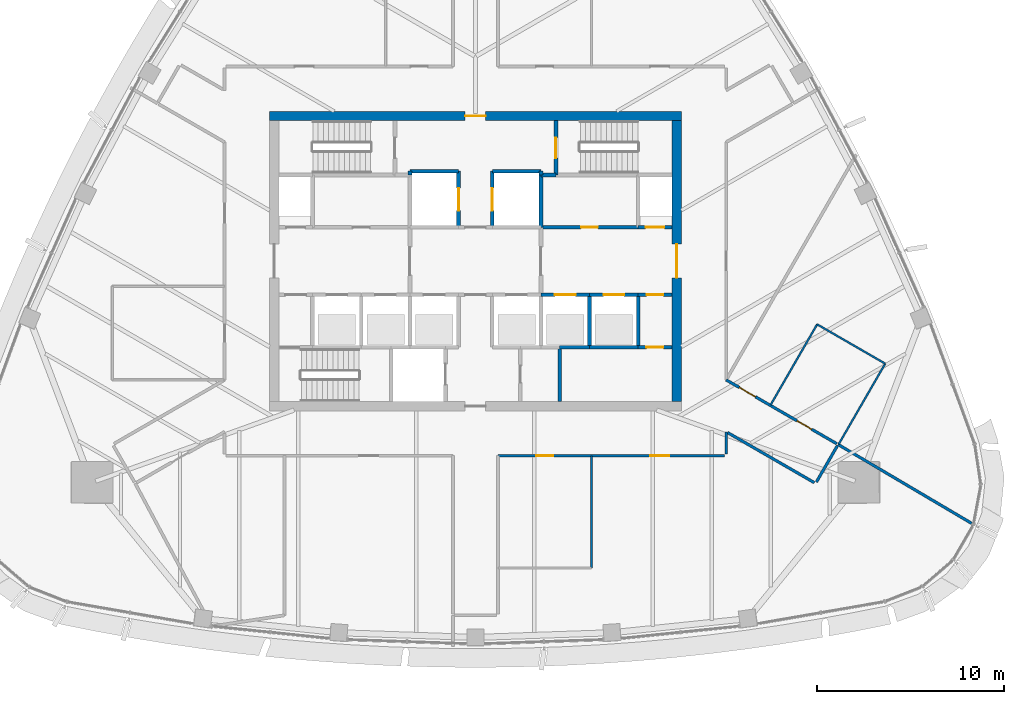
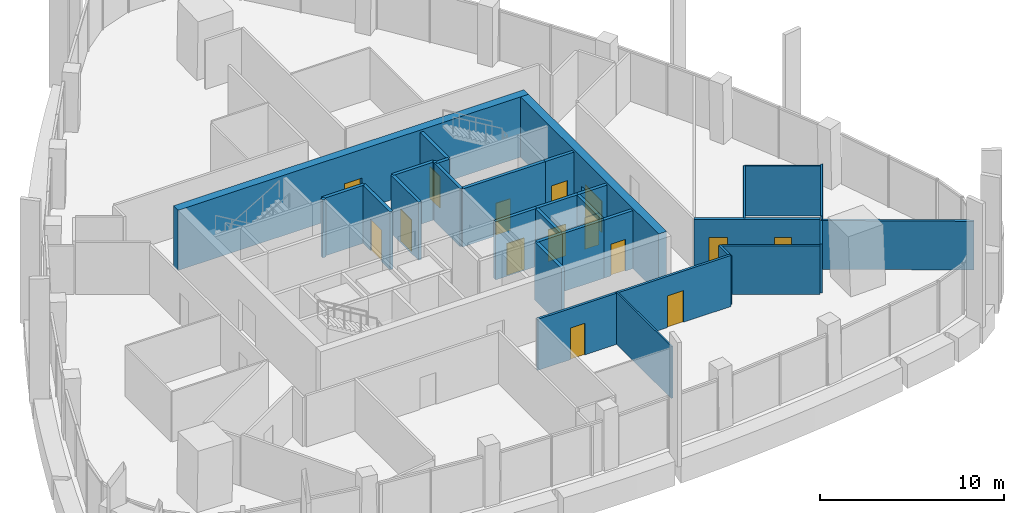
# One storey, part 10 of 19: 32 walls, 15 doors, 15 openings.
"""IFC4 building model written with IfcOpenShell, lengths in metres."""

from ifc_helpers import new_model, si_unit, direction, frame, frame_2d, origin, place, context, subcontext, project, spatial, rectangle, extrude, material, layer, layer_set, type_object, element, fill, save


model = new_model("IFC4")

# Units and contexts
model_context = context("Model", 3, precision=1e-05, world=origin(), true_north=direction((0.0, 1.0)))
body_context = subcontext(model_context, "Body", "Model", "MODEL_VIEW")
ifc_project = project(units=[si_unit("LENGTHUNIT", "METRE"), si_unit("AREAUNIT", "SQUARE_METRE"), si_unit("VOLUMEUNIT", "CUBIC_METRE"), si_unit("PLANEANGLEUNIT", "RADIAN"), si_unit("MASSUNIT", "GRAM", prefix="KILO")], contexts=[model_context])

# Site, building, storey
site_placement = place(None, origin())
site = spatial("IfcSite", under=ifc_project, at=site_placement, CompositionType="ELEMENT")
building_placement = place(site_placement, origin())
building = spatial("IfcBuilding", under=site, at=building_placement, Name="Sierra Prisma Convention Tower", CompositionType="ELEMENT")
storey_placement = place(building_placement, frame((0.0, 0.0, 295.0)))
storey = spatial("IfcBuildingStorey", under=building, at=storey_placement, Name="L67", CompositionType="ELEMENT", Elevation=295.0)

# Walls
ifc_material_1 = material(Name="Gypsum board partition", Category="gypsum")
ifc_layer_1 = layer(ifc_material_1, 0.10009765625)
ifc_layer_set_1 = layer_set([ifc_layer_1], Name="Bathroom partition 100")
wall_type_1 = type_object("IfcWallType", Name="Bathroom partition 100", PredefinedType="PARTITIONING", material=ifc_layer_set_1)
wall_1_placement = place(storey_placement, frame((6.199951171875, -10.429931640625, 0.0), z_axis=(0.0, 0.0, 1.0), x_axis=(0.0, -1.0, 0.0)))
element("IfcWall", 1, at=wall_1_placement, inside=storey, type_object=wall_type_1, Name="Partition L67 bath 6", PredefinedType="PARTITIONING", context=body_context, shape_type="SweptSolid", body=[
    extrude(rectangle(XDim=5.969970703125, YDim=0.10009765625, at=frame_2d((2.98486328125, 0.0))), origin(), (0.0, 0.0, 1.0), 3.449951171875),
])
wall_2_placement = place(storey_placement, frame((15.774169921875, -7.68701171875, 0.0), z_axis=(0.0, 0.0, 1.0), x_axis=(0.499974753747, 0.866039979225, 0.0)))
element("IfcWall", 2, at=wall_2_placement, inside=storey, type_object=wall_type_1, Name="Partition L67 bath 10", PredefinedType="PARTITIONING", context=body_context, shape_type="SweptSolid", body=[
    extrude(rectangle(XDim=4.969970703125, YDim=0.10009765625, at=frame_2d((2.48486328125, 0.0))), origin(), (0.0, 0.0, 1.0), 3.31689453125),
])
wall_3_placement = place(storey_placement, frame((18.259033203125, -3.3828125, 0.0), z_axis=(0.0, 0.0, 1.0), x_axis=(0.866049104564, -0.499958946799, 0.0)))
element("IfcWall", 3, at=wall_3_placement, inside=storey, type_object=wall_type_1, Name="Partition L67 bath 11", PredefinedType="PARTITIONING", context=body_context, shape_type="SweptSolid", body=[
    extrude(rectangle(XDim=4.199951171875, YDim=0.10009765625, at=frame_2d((2.10009765625, 0.0))), origin(), (0.0, 0.0, 1.0), 3.31689453125),
])
wall_4_placement = place(storey_placement, frame((21.896484375, -5.482666015625, 0.0), z_axis=(0.0, 0.0, 1.0), x_axis=(-0.500011595943, -0.86601870876, 0.0)))
element("IfcWall", 4, at=wall_4_placement, inside=storey, type_object=wall_type_1, Name="Partition L67 bath 12", PredefinedType="PARTITIONING", context=body_context, shape_type="SweptSolid", body=[
    extrude(rectangle(XDim=4.97021484375, YDim=0.10009765625, at=frame_2d((2.485107421875, 0.0))), origin(), (0.0, 0.0, 1.0), 3.443115234375),
])

# Wall, opening, door
ifc_material_2 = material(Name="Concrete C30/37", Category="concrete")
ifc_layer_2 = layer(ifc_material_2, 0.199951171875)
ifc_layer_set_2 = layer_set([ifc_layer_2], Name="Core wall RC 200 C30/37")
wall_type_2 = type_object("IfcWallType", Name="Core wall RC 200 C30/37", PredefinedType="SOLIDWALL", material=ifc_layer_set_2)
wall_5_placement = place(storey_placement, frame((-0.89990234375, 1.800048828125, 0.0), z_axis=(0.0, 0.0, 1.0), x_axis=(0.0, 1.0, 0.0)))
wall_5 = element("IfcWall", 5, at=wall_5_placement, inside=storey, type_object=wall_type_2, Name="Core wall L67 24", PredefinedType="SOLIDWALL", context=body_context, shape_type="SweptSolid", body=[
    extrude(rectangle(XDim=3.0, YDim=0.199951171875, at=frame_2d((1.5, 0.0))), origin(), (0.0, 0.0, 1.0), 3.85009765625),
])
opening_1_placement = place(wall_5_placement, frame((0.89990234375, 0.0, 0.0)))
opening_1 = element("IfcOpeningElement", 6, at=opening_1_placement, cuts=wall_5, Name="Opening L67-D007", PredefinedType="OPENING", context=body_context, shape_type="SweptSolid", body=[
    extrude(rectangle(XDim=1.199951171875, YDim=2.10009765625, at=frame_2d((0.60009765625, 1.050048828125))), frame((0.0, 0.10009765625, 0.0), z_axis=(0.0, -1.0, 0.0), x_axis=(1.0, 0.0, 0.0)), (0.0, 0.0, 1.0), 0.199951171875),
])
ifc_material_3 = material(Name="Steel fire door leaf", Category="steel")
door_type_1 = type_object("IfcDoorType", Name="Door 1200x2100 EI 90 sliding lift landing", OperationType="SLIDING_TO_LEFT", PredefinedType="DOOR", material=ifc_material_3)
door_1_placement = place(opening_1_placement, origin())
door_1 = element("IfcDoor", 7, at=door_1_placement, inside=storey, type_object=door_type_1, Name="Door L67 20", OperationType="SLIDING_TO_RIGHT", OverallHeight=2.10009765625, OverallWidth=1.199951171875, PredefinedType="DOOR", context=body_context, shape_type="SweptSolid", body=[
    extrude(rectangle(XDim=1.199951171875, YDim=2.10009765625, at=frame_2d((0.60009765625, 1.050048828125))), frame((0.0, 0.02490234375, 0.0), z_axis=(0.0, -1.0, 0.0), x_axis=(1.0, 0.0, 0.0)), (0.0, 0.0, 1.0), 0.050048828125),
])
fill(opening_1, door_1)

# Walls
wall_6_placement = place(storey_placement, frame((-0.89990234375, 4.800048828125, 0.0), z_axis=(0.0, 0.0, 1.0), x_axis=(-1.0, 0.0, 0.0)))
element("IfcWall", 8, at=wall_6_placement, inside=storey, type_object=wall_type_2, Name="Core wall L67 25", PredefinedType="SOLIDWALL", context=body_context, shape_type="SweptSolid", body=[
    extrude(rectangle(XDim=2.60009765625, YDim=0.199951171875, at=frame_2d((1.300048828125, 0.0))), origin(), (0.0, 0.0, 1.0), 3.85009765625),
])
for number, where, z_axis, x_axis, name in (
    (9, (-3.5, 4.800048828125, 0.0), (0.0, 0.0, 1.0), (0.0, -1.0, 0.0), "Core wall L67 26"),
    (10, (3.5, 4.60009765625, 0.0), (0.0, 0.0, 1.0), (0.0, 1.0, 0.0), "Core wall L67 36"),
):
    element("IfcWall", number, at=place(storey_placement, frame(where, z_axis=z_axis, x_axis=x_axis)), inside=storey, type_object=wall_type_2, Name=name, PredefinedType="SOLIDWALL", context=body_context, shape_type="SweptSolid", body=[
        extrude(rectangle(XDim=0.199951171875, YDim=0.199951171875, at=frame_2d((0.10009765625, 0.0))), origin(), (0.0, 0.0, 1.0), 3.85009765625),
    ])
wall_7_placement = place(storey_placement, frame((3.5, 4.800048828125, 0.0), z_axis=(0.0, 0.0, 1.0), x_axis=(-1.0, 0.0, 0.0)))
element("IfcWall", 11, at=wall_7_placement, inside=storey, type_object=wall_type_2, Name="Core wall L67 37", PredefinedType="SOLIDWALL", context=body_context, shape_type="SweptSolid", body=[
    extrude(rectangle(XDim=2.60009765625, YDim=0.199951171875, at=frame_2d((1.300048828125, 0.0))), origin(), (0.0, 0.0, 1.0), 3.85009765625),
])

# Wall, opening, door
wall_8_placement = place(storey_placement, frame((0.89990234375, 4.800048828125, 0.0), z_axis=(0.0, 0.0, 1.0), x_axis=(0.0, -1.0, 0.0)))
wall_8 = element("IfcWall", 12, at=wall_8_placement, inside=storey, type_object=wall_type_2, Name="Core wall L67 38", PredefinedType="SOLIDWALL", context=body_context, shape_type="SweptSolid", body=[
    extrude(rectangle(XDim=3.0, YDim=0.199951171875, at=frame_2d((1.5, 0.0))), origin(), (0.0, 0.0, 1.0), 3.85009765625),
])
opening_2_placement = place(wall_8_placement, frame((0.89990234375, 0.0, 0.0)))
opening_2 = element("IfcOpeningElement", 13, at=opening_2_placement, cuts=wall_8, Name="Opening L67-D008", PredefinedType="OPENING", context=body_context, shape_type="SweptSolid", body=[
    extrude(rectangle(XDim=1.199951171875, YDim=2.10009765625, at=frame_2d((0.60009765625, 1.050048828125))), frame((0.0, 0.10009765625, 0.0), z_axis=(0.0, -1.0, 0.0), x_axis=(1.0, 0.0, 0.0)), (0.0, 0.0, 1.0), 0.199951171875),
])
door_2_placement = place(opening_2_placement, origin())
door_2 = element("IfcDoor", 14, at=door_2_placement, inside=storey, type_object=door_type_1, Name="Door L67 21", OperationType="SLIDING_TO_RIGHT", OverallHeight=2.10009765625, OverallWidth=1.199951171875, PredefinedType="DOOR", context=body_context, shape_type="SweptSolid", body=[
    extrude(rectangle(XDim=1.199951171875, YDim=2.10009765625, at=frame_2d((0.60009765625, 1.050048828125))), frame((0.0, 0.02490234375, 0.0), z_axis=(0.0, -1.0, 0.0), x_axis=(1.0, 0.0, 0.0)), (0.0, 0.0, 1.0), 0.050048828125),
])
fill(opening_2, door_2)

wall_9_placement = place(storey_placement, frame((3.5, -1.800048828125, 0.0), z_axis=(0.0, 0.0, 1.0), x_axis=(1.0, 0.0, 0.0)))
wall_9 = element("IfcWall", 15, at=wall_9_placement, inside=storey, type_object=wall_type_2, Name="Core wall L67 43", PredefinedType="SOLIDWALL", context=body_context, shape_type="SweptSolid", body=[
    extrude(rectangle(XDim=2.60009765625, YDim=0.199951171875, at=frame_2d((1.300048828125, 0.0))), origin(), (0.0, 0.0, 1.0), 3.85009765625),
])
opening_3_placement = place(wall_9_placement, frame((0.75, 0.0, 0.0)))
opening_3 = element("IfcOpeningElement", 16, at=opening_3_placement, cuts=wall_9, Name="Opening L67-D005", PredefinedType="OPENING", context=body_context, shape_type="SweptSolid", body=[
    extrude(rectangle(XDim=1.10009765625, YDim=2.10009765625, at=frame_2d((0.550048828125, 1.050048828125))), frame((0.0, 0.10009765625, 0.0), z_axis=(0.0, -1.0, 0.0), x_axis=(1.0, 0.0, 0.0)), (0.0, 0.0, 1.0), 0.199951171875),
])
ifc_material_4 = material(Name="Steel fire door leaf", Category="steel")
door_type_2 = type_object("IfcDoorType", Name="Door 1100x2100 EI 90 sliding lift landing", OperationType="SLIDING_TO_LEFT", PredefinedType="DOOR", material=ifc_material_4)
door_3_placement = place(opening_3_placement, origin())
door_3 = element("IfcDoor", 17, at=door_3_placement, inside=storey, type_object=door_type_2, Name="Door L67 18", OperationType="SLIDING_TO_LEFT", OverallHeight=2.10009765625, OverallWidth=1.10009765625, PredefinedType="DOOR", context=body_context, shape_type="SweptSolid", body=[
    extrude(rectangle(XDim=1.10009765625, YDim=2.10009765625, at=frame_2d((0.550048828125, 1.050048828125))), frame((0.0, 0.02490234375, 0.0), z_axis=(0.0, -1.0, 0.0), x_axis=(1.0, 0.0, 0.0)), (0.0, 0.0, 1.0), 0.050048828125),
])
fill(opening_3, door_3)

wall_10_placement = place(storey_placement, frame((3.5, 1.800048828125, 0.0), z_axis=(0.0, 0.0, 1.0), x_axis=(1.0, 0.0, 0.0)))
wall_10 = element("IfcWall", 18, at=wall_10_placement, inside=storey, type_object=wall_type_2, Name="Core wall L67 45", PredefinedType="SOLIDWALL", context=body_context, shape_type="SweptSolid", body=[
    extrude(rectangle(XDim=5.199951171875, YDim=0.199951171875, at=frame_2d((2.60009765625, 0.0))), origin(), (0.0, 0.0, 1.0), 3.85009765625),
])
opening_4_placement = place(wall_10_placement, frame((2.14990234375, 0.0, 0.0)))
opening_4 = element("IfcOpeningElement", 19, at=opening_4_placement, cuts=wall_10, Name="Opening L67-D020", PredefinedType="OPENING", context=body_context, shape_type="SweptSolid", body=[
    extrude(rectangle(XDim=0.89990234375, YDim=2.10009765625, at=frame_2d((0.449951171875, 1.050048828125))), frame((0.0, 0.10009765625, 0.0), z_axis=(0.0, -1.0, 0.0), x_axis=(1.0, 0.0, 0.0)), (0.0, 0.0, 1.0), 0.199951171875),
])
ifc_material_5 = material(Name="Steel fire door leaf", Category="steel")
door_type_3 = type_object("IfcDoorType", Name="Door 900x2100 FD30S", OperationType="SINGLE_SWING_LEFT", PredefinedType="DOOR", material=ifc_material_5)
door_4_placement = place(opening_4_placement, origin())
door_4 = element("IfcDoor", 20, at=door_4_placement, inside=storey, type_object=door_type_3, Name="Door L67 33", OperationType="SINGLE_SWING_LEFT", OverallHeight=2.10009765625, OverallWidth=0.89990234375, PredefinedType="DOOR", context=body_context, shape_type="SweptSolid", body=[
    extrude(rectangle(XDim=0.89990234375, YDim=2.10009765625, at=frame_2d((0.449951171875, 1.050048828125))), frame((0.0, 0.02490234375, 0.0), z_axis=(0.0, -1.0, 0.0), x_axis=(1.0, 0.0, 0.0)), (0.0, 0.0, 1.0), 0.050048828125),
])
fill(opening_4, door_4)

# Walls
wall_11_placement = place(storey_placement, frame((3.5, 4.60009765625, 0.0), z_axis=(0.0, 0.0, 1.0), x_axis=(0.0, -1.0, 0.0)))
element("IfcWall", 21, at=wall_11_placement, inside=storey, type_object=wall_type_2, Name="Core wall L67 46", PredefinedType="SOLIDWALL", context=body_context, shape_type="SweptSolid", body=[
    extrude(rectangle(XDim=2.800048828125, YDim=0.199951171875, at=frame_2d((1.39990234375, 0.0))), origin(), (0.0, 0.0, 1.0), 3.85009765625),
])
wall_12_placement = place(storey_placement, frame((4.300048828125, 4.60009765625, 0.0), z_axis=(0.0, 0.0, 1.0), x_axis=(-1.0, 0.0, 0.0)))
element("IfcWall", 22, at=wall_12_placement, inside=storey, type_object=wall_type_2, Name="Core wall L67 47", PredefinedType="SOLIDWALL", context=body_context, shape_type="SweptSolid", body=[
    extrude(rectangle(XDim=0.800048828125, YDim=0.199951171875, at=frame_2d((0.39990234375, 0.0))), origin(), (0.0, 0.0, 1.0), 3.85009765625),
])

# Wall, opening, door
wall_13_placement = place(storey_placement, frame((4.300048828125, 7.5, 0.0), z_axis=(0.0, 0.0, 1.0), x_axis=(0.0, -1.0, 0.0)))
wall_13 = element("IfcWall", 23, at=wall_13_placement, inside=storey, type_object=wall_type_2, Name="Core wall L67 49", PredefinedType="SOLIDWALL", context=body_context, shape_type="SweptSolid", body=[
    extrude(rectangle(XDim=2.89990234375, YDim=0.199951171875, at=frame_2d((1.449951171875, 0.0))), origin(), (0.0, 0.0, 1.0), 3.85009765625),
])
opening_5_placement = place(wall_13_placement, frame((0.89990234375, 0.0, 0.0)))
opening_5 = element("IfcOpeningElement", 24, at=opening_5_placement, cuts=wall_13, Name="Opening L67-D019", PredefinedType="OPENING", context=body_context, shape_type="SweptSolid", body=[
    extrude(rectangle(XDim=1.10009765625, YDim=2.10009765625, at=frame_2d((0.550048828125, 1.050048828125))), frame((0.0, 0.10009765625, 0.0), z_axis=(0.0, -1.0, 0.0), x_axis=(1.0, 0.0, 0.0)), (0.0, 0.0, 1.0), 0.199951171875),
])
ifc_material_6 = material(Name="Steel fire door leaf", Category="steel")
door_type_4 = type_object("IfcDoorType", Name="Door 1100x2100 FD90S", OperationType="SINGLE_SWING_LEFT", PredefinedType="DOOR", material=ifc_material_6)
door_5_placement = place(opening_5_placement, origin())
door_5 = element("IfcDoor", 25, at=door_5_placement, inside=storey, type_object=door_type_4, Name="Door L67 32", OperationType="SINGLE_SWING_LEFT", OverallHeight=2.10009765625, OverallWidth=1.10009765625, PredefinedType="DOOR", context=body_context, shape_type="SweptSolid", body=[
    extrude(rectangle(XDim=1.10009765625, YDim=2.10009765625, at=frame_2d((0.550048828125, 1.050048828125))), frame((0.0, 0.02490234375, 0.0), z_axis=(0.0, -1.0, 0.0), x_axis=(1.0, 0.0, 0.0)), (0.0, 0.0, 1.0), 0.050048828125),
])
fill(opening_5, door_5)

# Walls
wall_14_placement = place(storey_placement, frame((4.5, -4.60009765625, 0.0), z_axis=(0.0, 0.0, 1.0), x_axis=(0.0, -1.0, 0.0)))
element("IfcWall", 26, at=wall_14_placement, inside=storey, type_object=wall_type_2, Name="Core wall L67 50", PredefinedType="SOLIDWALL", context=body_context, shape_type="SweptSolid", body=[
    extrude(rectangle(XDim=2.89990234375, YDim=0.199951171875, at=frame_2d((1.449951171875, 0.0))), origin(), (0.0, 0.0, 1.0), 3.85009765625),
])
wall_15_placement = place(storey_placement, frame((6.10009765625, -4.60009765625, 0.0), z_axis=(0.0, 0.0, 1.0), x_axis=(-1.0, 0.0, 0.0)))
element("IfcWall", 27, at=wall_15_placement, inside=storey, type_object=wall_type_2, Name="Core wall L67 51", PredefinedType="SOLIDWALL", context=body_context, shape_type="SweptSolid", body=[
    extrude(rectangle(XDim=1.60009765625, YDim=0.199951171875, at=frame_2d((0.800048828125, 0.0))), origin(), (0.0, 0.0, 1.0), 3.85009765625),
])
wall_16_placement = place(storey_placement, frame((8.699951171875, -4.60009765625, 0.0), z_axis=(0.0, 0.0, 1.0), x_axis=(-1.0, 0.0, 0.0)))
element("IfcWall", 28, at=wall_16_placement, inside=storey, type_object=wall_type_2, Name="Core wall L67 52", PredefinedType="SOLIDWALL", context=body_context, shape_type="SweptSolid", body=[
    extrude(rectangle(XDim=2.599853515625, YDim=0.199951171875, at=frame_2d((1.2998046875, 0.0))), origin(), (0.0, 0.0, 1.0), 3.85009765625),
])
wall_17_placement = place(storey_placement, frame((6.10009765625, -4.60009765625, 0.0), z_axis=(0.0, 0.0, 1.0), x_axis=(0.0, 1.0, 0.0)))
element("IfcWall", 29, at=wall_17_placement, inside=storey, type_object=wall_type_2, Name="Core wall L67 53", PredefinedType="SOLIDWALL", context=body_context, shape_type="SweptSolid", body=[
    extrude(rectangle(XDim=2.800048828125, YDim=0.199951171875, at=frame_2d((1.39990234375, 0.0))), origin(), (0.0, 0.0, 1.0), 3.85009765625),
])

# Wall, opening, door
wall_18_placement = place(storey_placement, frame((6.10009765625, -1.800048828125, 0.0), z_axis=(0.0, 0.0, 1.0), x_axis=(1.0, 0.0, 0.0)))
wall_18 = element("IfcWall", 30, at=wall_18_placement, inside=storey, type_object=wall_type_2, Name="Core wall L67 54", PredefinedType="SOLIDWALL", context=body_context, shape_type="SweptSolid", body=[
    extrude(rectangle(XDim=2.599853515625, YDim=0.199951171875, at=frame_2d((1.2998046875, 0.0))), origin(), (0.0, 0.0, 1.0), 3.85009765625),
])
opening_6_placement = place(wall_18_placement, frame((0.75, 0.0, 0.0)))
opening_6 = element("IfcOpeningElement", 31, at=opening_6_placement, cuts=wall_18, Name="Opening L67-D006", PredefinedType="OPENING", context=body_context, shape_type="SweptSolid", body=[
    extrude(rectangle(XDim=1.10009765625, YDim=2.10009765625, at=frame_2d((0.550048828125, 1.050048828125))), frame((0.0, 0.10009765625, 0.0), z_axis=(0.0, -1.0, 0.0), x_axis=(1.0, 0.0, 0.0)), (0.0, 0.0, 1.0), 0.199951171875),
])
door_6_placement = place(opening_6_placement, origin())
door_6 = element("IfcDoor", 32, at=door_6_placement, inside=storey, type_object=door_type_2, Name="Door L67 19", OperationType="SLIDING_TO_LEFT", OverallHeight=2.10009765625, OverallWidth=1.10009765625, PredefinedType="DOOR", context=body_context, shape_type="SweptSolid", body=[
    extrude(rectangle(XDim=1.10009765625, YDim=2.10009765625, at=frame_2d((0.550048828125, 1.050048828125))), frame((0.0, 0.02490234375, 0.0), z_axis=(0.0, -1.0, 0.0), x_axis=(1.0, 0.0, 0.0)), (0.0, 0.0, 1.0), 0.050048828125),
])
fill(opening_6, door_6)

wall_19_placement = place(storey_placement, frame((10.5, -4.60009765625, 0.0), z_axis=(0.0, 0.0, 1.0), x_axis=(-1.0, 0.0, 0.0)))
wall_19 = element("IfcWall", 33, at=wall_19_placement, inside=storey, type_object=wall_type_2, Name="Core wall L67 55", PredefinedType="SOLIDWALL", context=body_context, shape_type="SweptSolid", body=[
    extrude(rectangle(XDim=1.800048828125, YDim=0.199951171875, at=frame_2d((0.89990234375, 0.0))), origin(), (0.0, 0.0, 1.0), 3.85009765625),
])
opening_7_placement = place(wall_19_placement, frame((0.4599609375, 0.0, 0.0)))
opening_7 = element("IfcOpeningElement", 34, at=opening_7_placement, cuts=wall_19, Name="Opening L67-D022", PredefinedType="OPENING", context=body_context, shape_type="SweptSolid", body=[
    extrude(rectangle(XDim=0.89990234375, YDim=2.10009765625, at=frame_2d((0.449951171875, 1.050048828125))), frame((0.0, 0.10009765625, 0.0), z_axis=(0.0, -1.0, 0.0), x_axis=(1.0, 0.0, 0.0)), (0.0, 0.0, 1.0), 0.199951171875),
])
door_7_placement = place(opening_7_placement, origin())
door_7 = element("IfcDoor", 35, at=door_7_placement, inside=storey, type_object=door_type_3, Name="Door L67 35", OperationType="SINGLE_SWING_LEFT", OverallHeight=2.10009765625, OverallWidth=0.89990234375, PredefinedType="DOOR", context=body_context, shape_type="SweptSolid", body=[
    extrude(rectangle(XDim=0.89990234375, YDim=2.10009765625, at=frame_2d((0.449951171875, 1.050048828125))), frame((0.0, 0.02490234375, 0.0), z_axis=(0.0, -1.0, 0.0), x_axis=(1.0, 0.0, 0.0)), (0.0, 0.0, 1.0), 0.050048828125),
])
fill(opening_7, door_7)

# Wall
wall_20_placement = place(storey_placement, frame((8.699951171875, -1.800048828125, 0.0), z_axis=(0.0, 0.0, 1.0), x_axis=(0.0, -1.0, 0.0)))
element("IfcWall", 36, at=wall_20_placement, inside=storey, type_object=wall_type_2, Name="Core wall L67 56", PredefinedType="SOLIDWALL", context=body_context, shape_type="SweptSolid", body=[
    extrude(rectangle(XDim=2.800048828125, YDim=0.199951171875, at=frame_2d((1.39990234375, 0.0))), origin(), (0.0, 0.0, 1.0), 3.85009765625),
])

# Wall, opening, door
wall_21_placement = place(storey_placement, frame((8.699951171875, -1.800048828125, 0.0), z_axis=(0.0, 0.0, 1.0), x_axis=(1.0, 0.0, 0.0)))
wall_21 = element("IfcWall", 37, at=wall_21_placement, inside=storey, type_object=wall_type_2, Name="Core wall L67 57", PredefinedType="SOLIDWALL", context=body_context, shape_type="SweptSolid", body=[
    extrude(rectangle(XDim=1.800048828125, YDim=0.199951171875, at=frame_2d((0.89990234375, 0.0))), origin(), (0.0, 0.0, 1.0), 3.85009765625),
])
opening_8_placement = place(wall_21_placement, frame((0.449951171875, 0.0, 0.0)))
opening_8 = element("IfcOpeningElement", 38, at=opening_8_placement, cuts=wall_21, Name="Opening L67-D023", PredefinedType="OPENING", context=body_context, shape_type="SweptSolid", body=[
    extrude(rectangle(XDim=0.89990234375, YDim=2.10009765625, at=frame_2d((0.449951171875, 1.050048828125))), frame((0.0, 0.10009765625, 0.0), z_axis=(0.0, -1.0, 0.0), x_axis=(1.0, 0.0, 0.0)), (0.0, 0.0, 1.0), 0.199951171875),
])
door_8_placement = place(opening_8_placement, origin())
door_8 = element("IfcDoor", 39, at=door_8_placement, inside=storey, type_object=door_type_3, Name="Door L67 36", OperationType="SINGLE_SWING_LEFT", OverallHeight=2.10009765625, OverallWidth=0.89990234375, PredefinedType="DOOR", context=body_context, shape_type="SweptSolid", body=[
    extrude(rectangle(XDim=0.89990234375, YDim=2.10009765625, at=frame_2d((0.449951171875, 1.050048828125))), frame((0.0, 0.02490234375, 0.0), z_axis=(0.0, -1.0, 0.0), x_axis=(1.0, 0.0, 0.0)), (0.0, 0.0, 1.0), 0.050048828125),
])
fill(opening_8, door_8)

wall_22_placement = place(storey_placement, frame((10.5, 1.800048828125, 0.0), z_axis=(0.0, 0.0, 1.0), x_axis=(-1.0, 0.0, 0.0)))
wall_22 = element("IfcWall", 40, at=wall_22_placement, inside=storey, type_object=wall_type_2, Name="Core wall L67 58", PredefinedType="SOLIDWALL", context=body_context, shape_type="SweptSolid", body=[
    extrude(rectangle(XDim=1.800048828125, YDim=0.199951171875, at=frame_2d((0.89990234375, 0.0))), origin(), (0.0, 0.0, 1.0), 3.85009765625),
])
opening_9_placement = place(wall_22_placement, frame((0.39990234375, 0.0, 0.0)))
opening_9 = element("IfcOpeningElement", 41, at=opening_9_placement, cuts=wall_22, Name="Opening L67-D016", PredefinedType="OPENING", context=body_context, shape_type="SweptSolid", body=[
    extrude(rectangle(XDim=1.0, YDim=2.10009765625, at=frame_2d((0.5, 1.050048828125))), frame((0.0, 0.10009765625, 0.0), z_axis=(0.0, -1.0, 0.0), x_axis=(1.0, 0.0, 0.0)), (0.0, 0.0, 1.0), 0.199951171875),
])
ifc_material_7 = material(Name="Steel fire door leaf", Category="steel")
door_type_5 = type_object("IfcDoorType", Name="Door 1000x2100 FD60S", OperationType="SINGLE_SWING_LEFT", PredefinedType="DOOR", material=ifc_material_7)
door_9_placement = place(opening_9_placement, origin())
door_9 = element("IfcDoor", 42, at=door_9_placement, inside=storey, type_object=door_type_5, Name="Door L67 29", OperationType="SINGLE_SWING_RIGHT", OverallHeight=2.10009765625, OverallWidth=1.0, PredefinedType="DOOR", context=body_context, shape_type="SweptSolid", body=[
    extrude(rectangle(XDim=1.0, YDim=2.10009765625, at=frame_2d((0.5, 1.050048828125))), frame((0.0, 0.02490234375, 0.0), z_axis=(0.0, -1.0, 0.0), x_axis=(1.0, 0.0, 0.0)), (0.0, 0.0, 1.0), 0.050048828125),
])
fill(opening_9, door_9)

ifc_material_8 = material(Name="Concrete C50/60", Category="concrete")
ifc_layer_3 = layer(ifc_material_8, 0.5)
ifc_layer_set_3 = layer_set([ifc_layer_3], Name="Core wall RC 500 C50/60")
wall_type_3 = type_object("IfcWallType", Name="Core wall RC 500 C50/60", PredefinedType="SHEAR", material=ifc_layer_set_3)
wall_23_placement = place(storey_placement, frame((-11.0, 7.75, 0.0), z_axis=(0.0, 0.0, 1.0), x_axis=(1.0, 0.0, 0.0)))
wall_23 = element("IfcWall", 43, at=wall_23_placement, inside=storey, type_object=wall_type_3, Name="Core wall N L67", PredefinedType="SHEAR", context=body_context, shape_type="SweptSolid", body=[
    extrude(rectangle(XDim=22.0, YDim=0.5, at=frame_2d((11.0, 0.0))), origin(), (0.0, 0.0, 1.0), 4.0),
])
opening_10_placement = place(wall_23_placement, frame((10.449951171875, 0.0, 0.0)))
opening_10 = element("IfcOpeningElement", 44, at=opening_10_placement, cuts=wall_23, Name="Opening L67-D039", PredefinedType="OPENING", context=body_context, shape_type="SweptSolid", body=[
    extrude(rectangle(XDim=1.10009765625, YDim=2.10009765625, at=frame_2d((0.550048828125, 1.050048828125))), frame((0.0, 0.25, 0.0), z_axis=(0.0, -1.0, 0.0), x_axis=(1.0, 0.0, 0.0)), (0.0, 0.0, 1.0), 0.5),
])
ifc_material_9 = material(Name="Steel fire door leaf", Category="steel")
door_type_6 = type_object("IfcDoorType", Name="Door 1100x2100 FD60S", OperationType="SINGLE_SWING_LEFT", PredefinedType="DOOR", material=ifc_material_9)
door_10_placement = place(opening_10_placement, origin())
door_10 = element("IfcDoor", 45, at=door_10_placement, inside=storey, type_object=door_type_6, Name="Door L67 40", OperationType="SINGLE_SWING_RIGHT", OverallHeight=2.10009765625, OverallWidth=1.10009765625, PredefinedType="DOOR", context=body_context, shape_type="SweptSolid", body=[
    extrude(rectangle(XDim=1.10009765625, YDim=2.10009765625, at=frame_2d((0.550048828125, 1.050048828125))), frame((0.0, 0.02490234375, 0.0), z_axis=(0.0, -1.0, 0.0), x_axis=(1.0, 0.0, 0.0)), (0.0, 0.0, 1.0), 0.050048828125),
])
fill(opening_10, door_10)

wall_24_placement = place(storey_placement, frame((10.75, -7.5, 0.0), z_axis=(0.0, 0.0, 1.0), x_axis=(0.0, 1.0, 0.0)))
wall_24 = element("IfcWall", 46, at=wall_24_placement, inside=storey, type_object=wall_type_3, Name="Core wall E L67", PredefinedType="SHEAR", context=body_context, shape_type="SweptSolid", body=[
    extrude(rectangle(XDim=15.0, YDim=0.5, at=frame_2d((7.5, 0.0))), origin(), (0.0, 0.0, 1.0), 4.0),
])
opening_11_placement = place(wall_24_placement, frame((6.60009765625, 0.0, 0.0)))
opening_11 = element("IfcOpeningElement", 47, at=opening_11_placement, cuts=wall_24, Name="Opening L67-D038", PredefinedType="OPENING", context=body_context, shape_type="SweptSolid", body=[
    extrude(rectangle(XDim=1.800048828125, YDim=2.10009765625, at=frame_2d((0.89990234375, 1.050048828125))), frame((0.0, 0.25, 0.0), z_axis=(0.0, -1.0, 0.0), x_axis=(1.0, 0.0, 0.0)), (0.0, 0.0, 1.0), 0.5),
])
ifc_material_10 = material(Name="Steel fire door leaf", Category="steel")
door_type_7 = type_object("IfcDoorType", Name="Door 1800x2100 FD60S", OperationType="DOUBLE_DOOR_SINGLE_SWING", PredefinedType="DOOR", material=ifc_material_10)
door_11_placement = place(opening_11_placement, origin())
door_11 = element("IfcDoor", 48, at=door_11_placement, inside=storey, type_object=door_type_7, Name="Door L67 39", OperationType="DOUBLE_DOOR_SINGLE_SWING", OverallHeight=2.10009765625, OverallWidth=1.800048828125, PredefinedType="DOOR", context=body_context, shape_type="SweptSolid", body=[
    extrude(rectangle(XDim=1.800048828125, YDim=2.10009765625, at=frame_2d((0.89990234375, 1.050048828125))), frame((0.0, 0.02490234375, 0.0), z_axis=(0.0, -1.0, 0.0), x_axis=(1.0, 0.0, 0.0)), (0.0, 0.0, 1.0), 0.050048828125),
])
fill(opening_11, door_11)

# Wall, openings, doors
ifc_material_11 = material(Name="Gypsum board partition", Category="gypsum")
ifc_layer_4 = layer(ifc_material_11, 0.14990234375)
ifc_layer_set_4 = layer_set([ifc_layer_4], Name="Corridor wall 150 gypsum EI 60")
wall_type_4 = type_object("IfcWallType", Name="Corridor wall 150 gypsum EI 60", PredefinedType="PARTITIONING", material=ifc_layer_set_4)
wall_25_placement = place(storey_placement, frame((1.199951171875, -10.39990234375, 0.0), z_axis=(0.0, 0.0, 1.0), x_axis=(1.0, 0.0, 0.0)))
wall_25 = element("IfcWall", 49, at=wall_25_placement, inside=storey, type_object=wall_type_4, Name="Partition L67 corr 17", PredefinedType="PARTITIONING", context=body_context, shape_type="SweptSolid", body=[
    extrude(rectangle(XDim=12.1201171875, YDim=0.14990234375, at=frame_2d((6.06005859375, 0.0))), origin(), (0.0, 0.0, 1.0), 3.39306640625),
])
opening_12_placement = place(wall_25_placement, frame((2.050048828125, 0.0, 0.0)))
opening_12 = element("IfcOpeningElement", 50, at=opening_12_placement, cuts=wall_25, Name="Opening L67-D034", PredefinedType="OPENING", context=body_context, shape_type="SweptSolid", body=[
    extrude(rectangle(XDim=0.89990234375, YDim=2.10009765625, at=frame_2d((0.449951171875, 1.050048828125))), frame((0.0, 0.074951171875, 0.0), z_axis=(0.0, -1.0, 0.0), x_axis=(1.0, 0.0, 0.0)), (0.0, 0.0, 1.0), 0.14990234375),
])
opening_13_placement = place(wall_25_placement, frame((8.14990234375, 0.0, 0.0)))
opening_13 = element("IfcOpeningElement", 51, at=opening_13_placement, cuts=wall_25, Name="Opening L67-D035", PredefinedType="OPENING", context=body_context, shape_type="SweptSolid", body=[
    extrude(rectangle(XDim=1.0, YDim=2.10009765625, at=frame_2d((0.5, 1.050048828125))), frame((0.0, 0.074951171875, 0.0), z_axis=(0.0, -1.0, 0.0), x_axis=(1.0, 0.0, 0.0)), (0.0, 0.0, 1.0), 0.14990234375),
])
ifc_material_12 = material(Name="Steel fire door leaf", Category="steel")
door_type_8 = type_object("IfcDoorType", Name="Door 1000x2100 FD30S", OperationType="SINGLE_SWING_LEFT", PredefinedType="DOOR", material=ifc_material_12)
door_12_placement = place(opening_13_placement, origin())
door_12 = element("IfcDoor", 52, at=door_12_placement, inside=storey, type_object=door_type_8, Name="Door L67 11", OperationType="SINGLE_SWING_LEFT", OverallHeight=2.10009765625, OverallWidth=1.0, PredefinedType="DOOR", context=body_context, shape_type="SweptSolid", body=[
    extrude(rectangle(XDim=1.0, YDim=2.10009765625, at=frame_2d((0.5, 1.050048828125))), frame((0.0, 0.02490234375, 0.0), z_axis=(0.0, -1.0, 0.0), x_axis=(1.0, 0.0, 0.0)), (0.0, 0.0, 1.0), 0.050048828125),
])
fill(opening_13, door_12)
door_13_placement = place(opening_12_placement, origin())
door_13 = element("IfcDoor", 53, at=door_13_placement, inside=storey, type_object=door_type_3, Name="Door L67 10", OperationType="SINGLE_SWING_RIGHT", OverallHeight=2.10009765625, OverallWidth=0.89990234375, PredefinedType="DOOR", context=body_context, shape_type="SweptSolid", body=[
    extrude(rectangle(XDim=0.89990234375, YDim=2.10009765625, at=frame_2d((0.449951171875, 1.050048828125))), frame((0.0, 0.02490234375, 0.0), z_axis=(0.0, -1.0, 0.0), x_axis=(1.0, 0.0, 0.0)), (0.0, 0.0, 1.0), 0.050048828125),
])
fill(opening_12, door_13)

# Walls
wall_26_placement = place(storey_placement, frame((13.39990234375, -10.320068359375, 0.0), z_axis=(0.0, 0.0, 1.0), x_axis=(0.0, 1.0, 0.0)))
element("IfcWall", 54, at=wall_26_placement, inside=storey, type_object=wall_type_4, Name="Partition L67 corr 20", PredefinedType="PARTITIONING", context=body_context, shape_type="SweptSolid", body=[
    extrude(rectangle(XDim=1.197998046875, YDim=0.14990234375, at=frame_2d((0.59912109375, 0.0))), origin(), (0.0, 0.0, 1.0), 3.23291015625),
])
wall_27_placement = place(storey_placement, frame((13.479248046875, -9.16796875, 0.0), z_axis=(0.0, 0.0, 1.0), x_axis=(0.866037316941, -0.49997936524, 0.0)))
element("IfcWall", 55, at=wall_27_placement, inside=storey, type_object=wall_type_4, Name="Partition L67 corr 21", PredefinedType="PARTITIONING", context=body_context, shape_type="SweptSolid", body=[
    extrude(rectangle(XDim=5.346923828125, YDim=0.14990234375, at=frame_2d((2.67333984375, 0.0))), origin(), (0.0, 0.0, 1.0), 3.23291015625),
])

# Wall, openings, doors
wall_28_placement = place(storey_placement, frame((19.309814453125, -9.762939453125, 0.0), z_axis=(0.0, 0.0, 1.0), x_axis=(-0.866024132967, 0.500002201113, 0.0)))
wall_28 = element("IfcWall", 56, at=wall_28_placement, inside=storey, type_object=wall_type_4, Name="Partition L67 corr 24", PredefinedType="PARTITIONING", context=body_context, shape_type="SweptSolid", body=[
    extrude(rectangle(XDim=6.82421875, YDim=0.14990234375, at=frame_2d((3.412109375, 0.0))), origin(), (0.0, 0.0, 1.0), 3.31689453125),
])
opening_14_placement = place(wall_28_placement, frame((1.550048828125, 0.0, 0.0)))
opening_14 = element("IfcOpeningElement", 57, at=opening_14_placement, cuts=wall_28, Name="Opening L67-D036", PredefinedType="OPENING", context=body_context, shape_type="SweptSolid", body=[
    extrude(rectangle(XDim=0.89990234375, YDim=2.10009765625, at=frame_2d((0.449951171875, 1.050048828125))), frame((0.0, 0.074951171875, 0.0), z_axis=(0.0, -1.0, 0.0), x_axis=(1.0, 0.0, 0.0)), (0.0, 0.0, 1.0), 0.14990234375),
])
opening_15_placement = place(wall_28_placement, frame((5.01220703125, 0.0, 0.0)))
opening_15 = element("IfcOpeningElement", 58, at=opening_15_placement, cuts=wall_28, Name="Opening L67-D037", PredefinedType="OPENING", context=body_context, shape_type="SweptSolid", body=[
    extrude(rectangle(XDim=1.0, YDim=2.10009765625, at=frame_2d((0.5, 1.050048828125))), frame((0.0, 0.074951171875, 0.0), z_axis=(0.0, -1.0, 0.0), x_axis=(1.0, 0.0, 0.0)), (0.0, 0.0, 1.0), 0.14990234375),
])
door_14_placement = place(opening_15_placement, origin())
door_14 = element("IfcDoor", 59, at=door_14_placement, inside=storey, type_object=door_type_8, Name="Door L67 13", OperationType="SINGLE_SWING_LEFT", OverallHeight=2.10009765625, OverallWidth=1.0, PredefinedType="DOOR", context=body_context, shape_type="SweptSolid", body=[
    extrude(rectangle(XDim=1.0, YDim=2.10009765625, at=frame_2d((0.5, 1.050048828125))), frame((0.0, 0.02490234375, 0.0), z_axis=(0.0, -1.0, 0.0), x_axis=(1.0, 0.0, 0.0)), (0.0, 0.0, 1.0), 0.050048828125),
])
fill(opening_15, door_14)
door_15_placement = place(opening_14_placement, origin())
door_15 = element("IfcDoor", 60, at=door_15_placement, inside=storey, type_object=door_type_3, Name="Door L67 12", OperationType="SINGLE_SWING_RIGHT", OverallHeight=2.10009765625, OverallWidth=0.89990234375, PredefinedType="DOOR", context=body_context, shape_type="SweptSolid", body=[
    extrude(rectangle(XDim=0.89990234375, YDim=2.10009765625, at=frame_2d((0.449951171875, 1.050048828125))), frame((0.0, 0.02490234375, 0.0), z_axis=(0.0, -1.0, 0.0), x_axis=(1.0, 0.0, 0.0)), (0.0, 0.0, 1.0), 0.050048828125),
])
fill(opening_14, door_15)

# Walls
wall_29_placement = place(storey_placement, frame((18.218994140625, -11.81201171875, 0.0), z_axis=(0.0, 0.0, 1.0), x_axis=(0.500030632641, 0.866007717299, 0.0)))
element("IfcWall", 61, at=wall_29_placement, inside=storey, type_object=wall_type_4, Name="Partition L67 corr 28", PredefinedType="PARTITIONING", context=body_context, shape_type="SweptSolid", body=[
    extrude(rectangle(XDim=2.239990234375, YDim=0.14990234375, at=frame_2d((1.1201171875, 0.0))), origin(), (0.0, 0.0, 1.0), 3.23291015625),
])
ifc_material_13 = material(Name="Gypsum board partition", Category="gypsum")
ifc_layer_5 = layer(ifc_material_13, 0.14990234375)
ifc_layer_set_5 = layer_set([ifc_layer_5], Name="Party wall 150 gypsum")
wall_type_5 = type_object("IfcWallType", Name="Party wall 150 gypsum", PredefinedType="PARTITIONING", material=ifc_layer_set_5)
wall_30_placement = place(storey_placement, frame((19.379150390625, -9.802978515625, 0.0), z_axis=(0.0, 0.0, 1.0), x_axis=(0.861122287614, -0.508397881364, 0.0)))
element("IfcWall", 62, at=wall_30_placement, inside=storey, type_object=wall_type_5, Name="Partition L67 party 10", PredefinedType="PARTITIONING", context=body_context, shape_type="SweptSolid", body=[
    extrude(rectangle(XDim=8.2900390625, YDim=0.14990234375, at=frame_2d((4.14501953125, 0.0))), origin(), (0.0, 0.0, 1.0), 3.23388671875),
])

save(model, "model.ifc")
